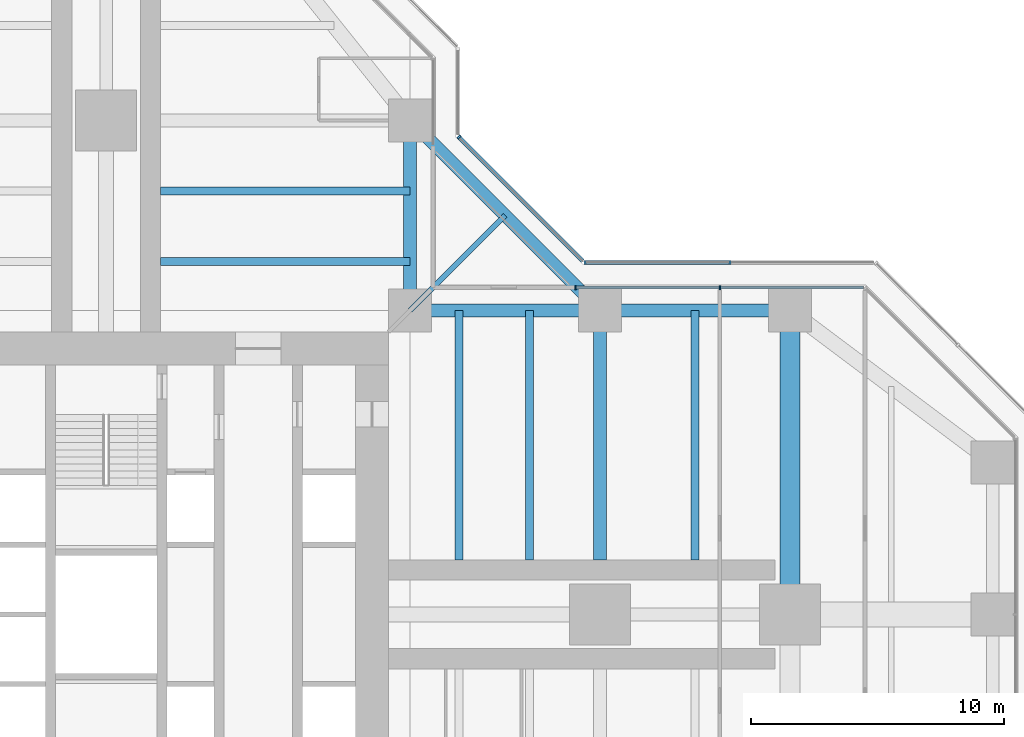
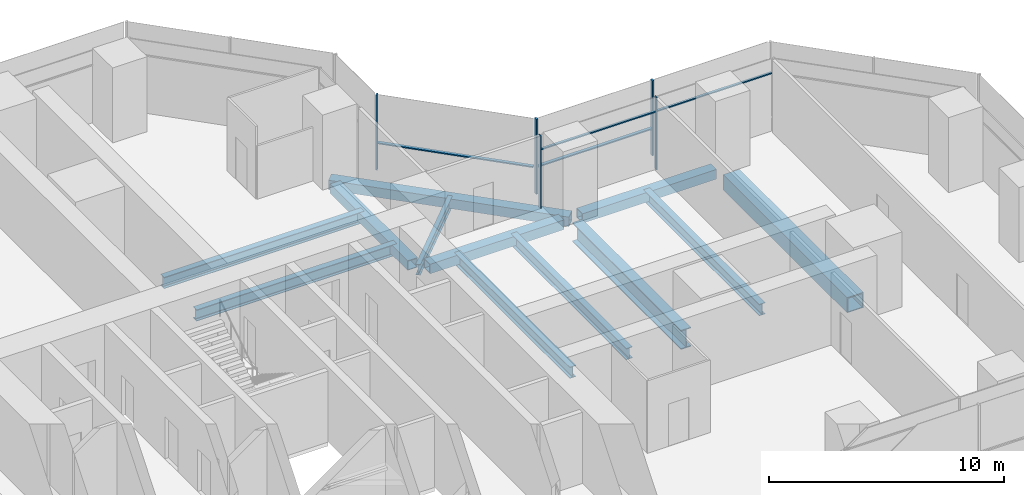
# One storey, part 9 of 20: 12 beams, 9 members, 3 elements without a shape of their own.
"""IFC4 building model written with IfcOpenShell, lengths in metres."""

from ifc_helpers import new_model, si_unit, direction, frame, origin, origin_2d, place, context, subcontext, project, spatial, rectangle, hollow_rectangle, i_section, extrude, material, material_profile, profile_set, type_object, element, aggregate, save


model = new_model("IFC4")

# Units and contexts
model_context = context("Model", 3, precision=1e-05, world=origin(), true_north=direction((0.0, 1.0)))
body_context = subcontext(model_context, "Body", "Model", "MODEL_VIEW")
ifc_project = project(units=[si_unit("LENGTHUNIT", "METRE"), si_unit("AREAUNIT", "SQUARE_METRE"), si_unit("VOLUMEUNIT", "CUBIC_METRE"), si_unit("PLANEANGLEUNIT", "RADIAN"), si_unit("MASSUNIT", "GRAM", prefix="KILO")], contexts=[model_context])

# Site, building, storey
site_placement = place(None, origin())
site = spatial("IfcSite", under=ifc_project, at=site_placement, CompositionType="ELEMENT")
building_placement = place(site_placement, origin())
building = spatial("IfcBuilding", under=site, at=building_placement, Name="Mizan Broadcast Tower", CompositionType="ELEMENT")
storey_placement = place(building_placement, frame((0.0, 0.0, 178.800048828125)))
storey = spatial("IfcBuildingStorey", under=building, at=storey_placement, Name="L41", CompositionType="ELEMENT", Elevation=178.800048828125)

# Beams
ifc_material_1 = material(Name="Steel S355", Category="steel")
ifc_material_profile_1 = material_profile(ifc_material_1, hollow_rectangle(XDim=0.5, YDim=0.5, WallThickness=0.030029296875, at=origin_2d()), Name="BOX 500x500x30")
ifc_profile_set_1 = profile_set([ifc_material_profile_1], Name="Steel S355")
beam_type_1 = type_object("IfcBeamType", Name="EDGE BEAM BOX 500x500x30", PredefinedType="SPANDREL", material=ifc_profile_set_1)
for number, where, z_axis, x_axis, name in (
    (1, (12.449951171875, 12.0, -0.380126953125), (1.0, 0.0, 0.0), (0.0, 1.0, 0.0), "Edge beam BOX 500x500x30 L41 east arm"),
    (2, (19.949951171875, 12.0, -0.380126953125), (1.0, 0.0, 0.0), (0.0, 1.0, 0.0), "Edge beam BOX 500x500x30 L41 east arm"),
    (3, (12.0, 12.449951171875, -0.380126953125), (0.0, 1.0, 0.0), (-1.0, 0.0, 0.0), "Edge beam BOX 500x500x30 L41 north arm"),
):
    element("IfcBeam", number, at=place(storey_placement, frame(where, z_axis=z_axis, x_axis=x_axis)), inside=storey, type_object=beam_type_1, Name=name, PredefinedType="SPANDREL", context=body_context, shape_type="SweptSolid", body=[
        extrude(hollow_rectangle(XDim=0.5, YDim=0.5, WallThickness=0.030029296875, at=origin_2d()), origin(), (0.0, 0.0, 1.0), 6.60009765625),
    ])
beam_1_placement = place(storey_placement, frame((19.5, 12.0, -0.380126953125), z_axis=(-0.707106781187, 0.707106781187, 0.0), x_axis=(-0.707106781187, -0.707106781187, 0.0)))
element("IfcBeam", 4, at=beam_1_placement, inside=storey, type_object=beam_type_1, Name="Winter garden edge beam L41 E", PredefinedType="SPANDREL", context=body_context, shape_type="SweptSolid", body=[
    extrude(hollow_rectangle(XDim=0.5, YDim=0.5, WallThickness=0.030029296875, at=origin_2d()), origin(), (0.0, 0.0, 1.0), 10.606689453125),
])
ifc_material_2 = material(Name="Steel S460", Category="steel")
ifc_material_profile_2 = material_profile(ifc_material_2, hollow_rectangle(XDim=0.800048828125, YDim=0.800048828125, WallThickness=0.050048828125, at=origin_2d()), Name="BOX 800x800x50")
ifc_profile_set_2 = profile_set([ifc_material_profile_2], Name="Steel S460")
beam_type_2 = type_object("IfcBeamType", Name="GIRDER BOX 800x800x50", PredefinedType="BEAM", material=ifc_profile_set_2)
beam_2_placement = place(storey_placement, frame((27.0, 11.280029296875, -0.530029296875), z_axis=(0.0, -1.0, 0.0), x_axis=(1.0, 0.0, 0.0)))
element("IfcBeam", 5, at=beam_2_placement, inside=storey, type_object=beam_type_2, Name="Girder BOX 800x800x50 L41 east arm", PredefinedType="BEAM", context=body_context, shape_type="SweptSolid", body=[
    extrude(hollow_rectangle(XDim=0.800048828125, YDim=0.800048828125, WallThickness=0.050048828125, at=origin_2d()), origin(), (0.0, 0.0, 1.0), 10.56005859375),
])
ifc_material_3 = material(Name="Steel S460", Category="steel")
ifc_material_profile_3 = material_profile(ifc_material_3, i_section(OverallWidth=0.5, OverallDepth=1.0, WebThickness=0.02490234375, FlangeThickness=0.050048828125, at=origin_2d()), Name="WPG 1000x500")
ifc_profile_set_3 = profile_set([ifc_material_profile_3], Name="Steel S460")
beam_type_3 = type_object("IfcBeamType", Name="GIRDER WPG 1000x500", PredefinedType="BEAM", material=ifc_profile_set_3)
beam_3_placement = place(storey_placement, frame((19.5, 11.408935546875, -0.630126953125), z_axis=(0.0, -1.0, 0.0), x_axis=(1.0, 0.0, 0.0)))
element("IfcBeam", 6, at=beam_3_placement, inside=storey, type_object=beam_type_3, Name="Girder WPG 1000x500 L41 east arm", PredefinedType="BEAM", context=body_context, shape_type="SweptSolid", body=[
    extrude(i_section(OverallWidth=0.5, OverallDepth=1.0, WebThickness=0.02490234375, FlangeThickness=0.050048828125, at=origin_2d()), origin(), (0.0, 0.0, 1.0), 9.259033203125),
])

# Curtain wall, members
ifc_material_4 = material(Name="Aluminium framed glazing", Category="aluminium")
curtain_wall_type_1 = type_object("IfcCurtainWallType", Name="INNER SKIN MID ZONE", PredefinedType="USERDEFINED", material=ifc_material_4)
curtain_wall_1_placement = place(storey_placement, origin())
curtain_wall_1 = element("IfcCurtainWall", 7, at=curtain_wall_1_placement, inside=storey, type_object=curtain_wall_type_1, Name="Inner skin mid zone L41 E side", ObjectType="INNER SKIN MID ZONE", PredefinedType="USERDEFINED")
ifc_material_5 = material(Name="Aluminium, pale anodised", Category="aluminium")
ifc_material_profile_4 = material_profile(ifc_material_5, rectangle(XDim=0.159912109375, YDim=0.06005859375, at=origin_2d()), Name="MULLION 160x60")
ifc_profile_set_4 = profile_set([ifc_material_profile_4], Name="Aluminium, pale anodised")
member_type_1 = type_object("IfcMemberType", Name="INNER SKIN MULLION 60x160", PredefinedType="MULLION", material=ifc_profile_set_4)
member_1_placement = place(storey_placement, frame((24.229248046875, 12.89990234375, 0.0), z_axis=(0.0, 0.0, 1.0), x_axis=(0.0, -1.0, 0.0)))
member_1 = element("IfcMember", 8, at=member_1_placement, type_object=member_type_1, Name="Inner skin mid zone L41 E side mullion 2", PredefinedType="MULLION", context=body_context, shape_type="SweptSolid", body=[
    extrude(rectangle(XDim=0.159912109375, YDim=0.06005859375, at=origin_2d()), origin(), (0.0, 0.0, 1.0), 3.77001953125),
])
member_2_placement = place(storey_placement, frame((18.530029296875, 12.89990234375, 0.0), z_axis=(0.0, 0.0, 1.0), x_axis=(0.0, -1.0, 0.0)))
member_2 = element("IfcMember", 9, at=member_2_placement, type_object=member_type_1, Name="Inner skin mid zone L41 E side mullion 3", PredefinedType="MULLION", context=body_context, shape_type="SweptSolid", body=[
    extrude(rectangle(XDim=0.159912109375, YDim=0.06005859375, at=origin_2d()), origin(), (0.0, 0.0, 1.0), 3.77001953125),
])
ifc_material_6 = material(Name="Aluminium, pale anodised", Category="aluminium")
ifc_material_profile_5 = material_profile(ifc_material_6, rectangle(XDim=0.1201171875, YDim=0.06005859375, at=origin_2d()), Name="TRANSOM 120x60")
ifc_profile_set_5 = profile_set([ifc_material_profile_5], Name="Aluminium, pale anodised")
member_type_2 = type_object("IfcMemberType", Name="INNER SKIN TRANSOM 60x120", PredefinedType="USERDEFINED", material=ifc_profile_set_5)
member_3_placement = place(storey_placement, frame((29.898681640625, 12.89990234375, 3.030029296875), z_axis=(-1.0, 0.0, 0.0), x_axis=(0.0, -1.0, 0.0)))
member_3 = element("IfcMember", 10, at=member_3_placement, type_object=member_type_2, Name="Inner skin mid zone L41 E side transom 1.1", ObjectType="TRANSOM", PredefinedType="USERDEFINED", context=body_context, shape_type="SweptSolid", body=[
    extrude(rectangle(XDim=0.1201171875, YDim=0.06005859375, at=origin_2d()), origin(), (0.0, 0.0, 1.0), 5.639404296875),
])
member_4_placement = place(storey_placement, frame((24.19921875, 12.89990234375, 3.030029296875), z_axis=(-1.0, 0.0, 0.0), x_axis=(0.0, -1.0, 0.0)))
member_4 = element("IfcMember", 11, at=member_4_placement, type_object=member_type_2, Name="Inner skin mid zone L41 E side transom 2.1", ObjectType="TRANSOM", PredefinedType="USERDEFINED", context=body_context, shape_type="SweptSolid", body=[
    extrude(rectangle(XDim=0.1201171875, YDim=0.06005859375, at=origin_2d()), origin(), (0.0, 0.0, 1.0), 5.63916015625),
])
aggregate(curtain_wall_1, [member_1, member_2, member_3, member_4])

ifc_material_7 = material(Name="Aluminium framed glazing", Category="aluminium")
curtain_wall_type_2 = type_object("IfcCurtainWallType", Name="OUTER SKIN", PredefinedType="USERDEFINED", material=ifc_material_7)
curtain_wall_2_placement = place(storey_placement, origin())
curtain_wall_2 = element("IfcCurtainWall", 12, at=curtain_wall_2_placement, inside=storey, type_object=curtain_wall_type_2, Name="Outer skin L41 E side", ObjectType="OUTER SKIN", PredefinedType="USERDEFINED")
ifc_material_8 = material(Name="Aluminium, pale anodised", Category="aluminium")
ifc_material_profile_6 = material_profile(ifc_material_8, rectangle(XDim=0.159912109375, YDim=0.080078125, at=origin_2d()), Name="MULLION 160x80")
ifc_profile_set_6 = profile_set([ifc_material_profile_6], Name="Aluminium, pale anodised")
member_type_3 = type_object("IfcMemberType", Name="OUTER SKIN MULLION 80x160", PredefinedType="MULLION", material=ifc_profile_set_6)
member_5_placement = place(storey_placement, frame((24.622802734375, 13.89990234375, 0.0), z_axis=(0.0, 0.0, 1.0), x_axis=(0.0, -1.0, 0.0)))
member_5 = element("IfcMember", 13, at=member_5_placement, type_object=member_type_3, Name="Outer skin L41 E side mullion 2", PredefinedType="MULLION", context=body_context, shape_type="SweptSolid", body=[
    extrude(rectangle(XDim=0.159912109375, YDim=0.080078125, at=origin_2d()), origin(), (0.0, 0.0, 1.0), 3.89990234375),
])
member_6_placement = place(storey_placement, frame((18.912841796875, 13.89990234375, 0.0), z_axis=(0.0, 0.0, 1.0), x_axis=(0.0, -1.0, 0.0)))
member_6 = element("IfcMember", 14, at=member_6_placement, type_object=member_type_3, Name="Outer skin L41 E side mullion 3", PredefinedType="MULLION", context=body_context, shape_type="SweptSolid", body=[
    extrude(rectangle(XDim=0.159912109375, YDim=0.080078125, at=origin_2d()), origin(), (0.0, 0.0, 1.0), 3.89990234375),
])

# Curtain wall, member
curtain_wall_3_placement = place(storey_placement, origin())
curtain_wall_3 = element("IfcCurtainWall", 15, at=curtain_wall_3_placement, inside=storey, type_object=curtain_wall_type_2, Name="Outer skin L41 E chamfer", ObjectType="OUTER SKIN", PredefinedType="USERDEFINED")
member_7_placement = place(storey_placement, frame((13.92822265625, 18.844482421875, 0.0), z_axis=(0.0, 0.0, 1.0), x_axis=(-0.707106781187, -0.707106781187, 0.0)))
member_7 = element("IfcMember", 16, at=member_7_placement, type_object=member_type_3, Name="Outer skin L41 E chamfer mullion 2", PredefinedType="MULLION", context=body_context, shape_type="SweptSolid", body=[
    extrude(rectangle(XDim=0.159912109375, YDim=0.080078125, at=origin_2d()), origin(), (0.0, 0.0, 1.0), 3.89990234375),
])

# Member
ifc_material_9 = material(Name="Aluminium, pale anodised", Category="aluminium")
ifc_material_profile_7 = material_profile(ifc_material_9, rectangle(XDim=0.159912109375, YDim=0.06005859375, at=origin_2d()), Name="TRANSOM 160x60")
ifc_profile_set_7 = profile_set([ifc_material_profile_7], Name="Aluminium, pale anodised")
member_type_4 = type_object("IfcMemberType", Name="OUTER SKIN TRANSOM 60x160", PredefinedType="USERDEFINED", material=ifc_profile_set_7)
member_8_placement = place(storey_placement, frame((24.582763671875, 13.89990234375, 1.39990234375), z_axis=(-1.0, 0.0, 0.0), x_axis=(0.0, -1.0, 0.0)))
member_8 = element("IfcMember", 17, at=member_8_placement, type_object=member_type_4, Name="Outer skin L41 E side transom 2.1", ObjectType="TRANSOM", PredefinedType="USERDEFINED", context=body_context, shape_type="SweptSolid", body=[
    extrude(rectangle(XDim=0.159912109375, YDim=0.06005859375, at=origin_2d()), origin(), (0.0, 0.0, 1.0), 5.6298828125),
])

aggregate(curtain_wall_2, [member_5, member_6, member_8])

member_9_placement = place(storey_placement, frame((18.816162109375, 13.95654296875, 1.39990234375), z_axis=(-0.707106781187, 0.707106781187, 0.0), x_axis=(-0.707106781187, -0.707106781187, 0.0)))
member_9 = element("IfcMember", 18, at=member_9_placement, type_object=member_type_4, Name="Outer skin L41 E chamfer transom 1.1", ObjectType="TRANSOM", PredefinedType="USERDEFINED", context=body_context, shape_type="SweptSolid", body=[
    extrude(rectangle(XDim=0.159912109375, YDim=0.06005859375, at=origin_2d()), origin(), (0.0, 0.0, 1.0), 6.87255859375),
])

aggregate(curtain_wall_3, [member_7, member_9])

# Beams
ifc_material_10 = material(Name="Steel S355", Category="steel")
ifc_material_profile_8 = material_profile(ifc_material_10, i_section(OverallWidth=0.300048828125, OverallDepth=0.590087890625, WebThickness=0.012939453125, FlangeThickness=0.02490234375, FilletRadius=0.027099609375, at=origin_2d()), Name="HEA 600")
ifc_profile_set_8 = profile_set([ifc_material_profile_8], Name="Steel S355")
beam_type_4 = type_object("IfcBeamType", Name="SECONDARY BEAM HEA 600", PredefinedType="JOIST", material=ifc_profile_set_8)
for number, where, z_axis, x_axis, name in (
    (19, (13.933349609375, 12.0, -0.425048828125), (0.0, -1.0, 0.0), (1.0, 0.0, 0.0), "Secondary beam HEA 600 L41 east arm"),
    (20, (16.716552734375, 12.0, -0.425048828125), (0.0, -1.0, 0.0), (1.0, 0.0, 0.0), "Secondary beam HEA 600 L41 east arm"),
    (21, (23.25, 12.0, -0.425048828125), (0.0, -1.0, 0.0), (1.0, 0.0, 0.0), "Secondary beam HEA 600 L41 east arm"),
    (22, (12.0, 13.933349609375, -0.425048828125), (-1.0, 0.0, 0.0), (0.0, -1.0, 0.0), "Secondary beam HEA 600 L41 north arm"),
    (23, (12.0, 16.716552734375, -0.425048828125), (-1.0, 0.0, 0.0), (0.0, -1.0, 0.0), "Secondary beam HEA 600 L41 north arm"),
):
    element("IfcBeam", number, at=place(storey_placement, frame(where, z_axis=z_axis, x_axis=x_axis)), inside=storey, type_object=beam_type_4, Name=name, PredefinedType="JOIST", context=body_context, shape_type="SweptSolid", body=[
        extrude(i_section(OverallWidth=0.300048828125, OverallDepth=0.590087890625, WebThickness=0.012939453125, FlangeThickness=0.02490234375, FilletRadius=0.027099609375, at=origin_2d()), origin(), (0.0, 0.0, 1.0), 9.85009765625),
    ])
ifc_material_11 = material(Name="Steel S355", Category="steel")
ifc_material_profile_9 = material_profile(ifc_material_11, i_section(OverallWidth=0.2099609375, OverallDepth=0.550048828125, WebThickness=0.010986328125, FlangeThickness=0.01708984375, FilletRadius=0.02392578125, at=origin_2d()), Name="IPE 550")
ifc_profile_set_9 = profile_set([ifc_material_profile_9], Name="Steel S355")
beam_type_5 = type_object("IfcBeamType", Name="SECONDARY BEAM IPE 550", PredefinedType="JOIST", material=ifc_profile_set_9)
beam_4_placement = place(storey_placement, frame((12.0, 12.0, -0.405029296875), z_axis=(0.707106781187, 0.707106781187, 0.0), x_axis=(-0.707106781187, 0.707106781187, 0.0)))
element("IfcBeam", 24, at=beam_4_placement, inside=storey, type_object=beam_type_5, Name="Winter garden beam L41 E", PredefinedType="JOIST", context=body_context, shape_type="SweptSolid", body=[
    extrude(i_section(OverallWidth=0.2099609375, OverallDepth=0.550048828125, WebThickness=0.010986328125, FlangeThickness=0.01708984375, FilletRadius=0.02392578125, at=origin_2d()), origin(), (0.0, 0.0, 1.0), 5.30322265625),
])

save(model, "model.ifc")
